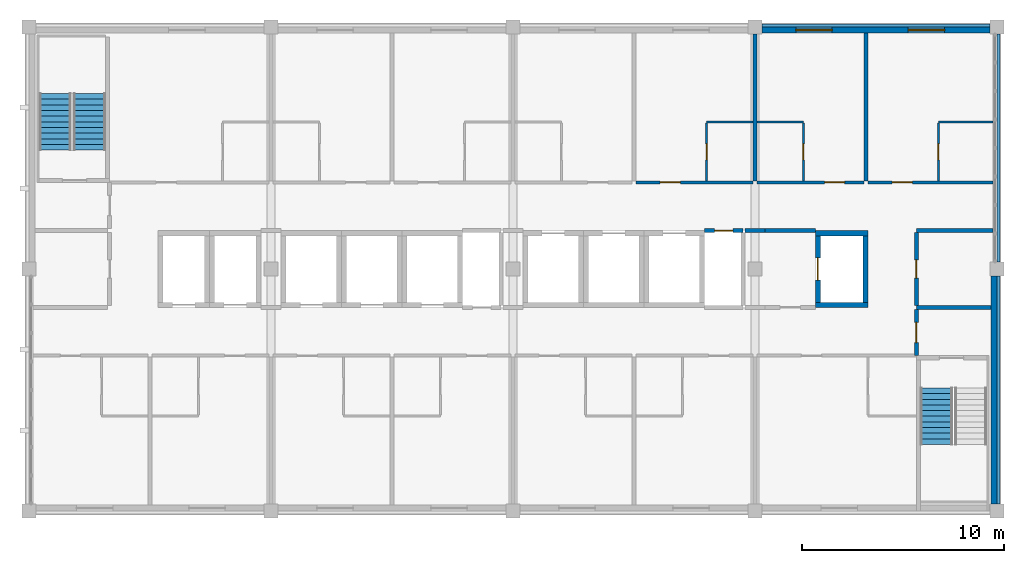
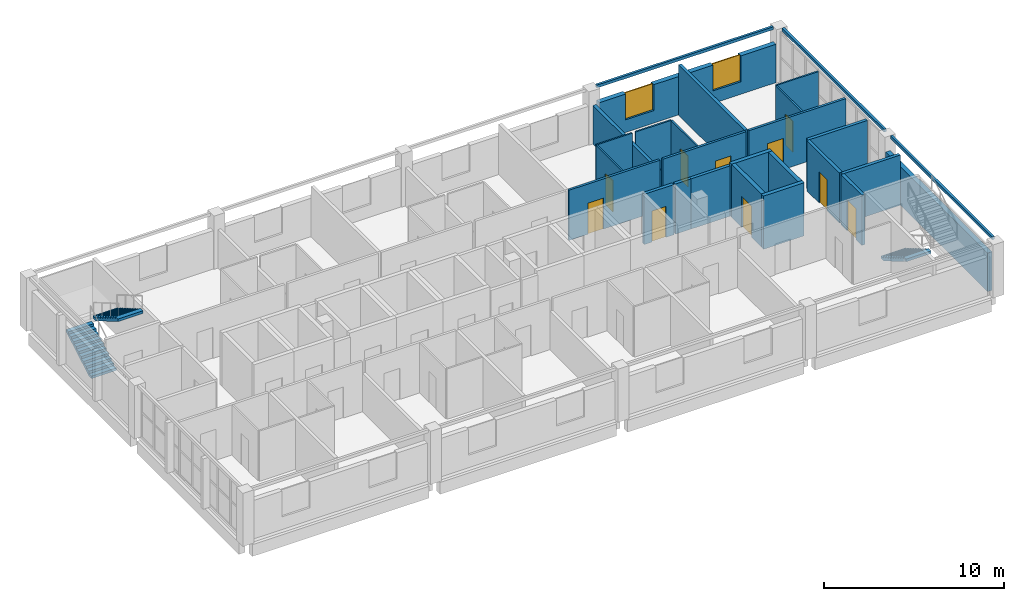
# One storey, part 9 of 11: 27 walls, 10 doors, 3 stair flights, 2 windows, 12 openings, 2 elements without a shape of their own.
"""IFC4 building model written with IfcOpenShell, lengths in metres."""

from ifc_helpers import new_model, si_unit, direction, frame, frame_2d, origin, place, context, subcontext, project, spatial, polyline, rectangle, outline, extrude, material, layer, layer_set, type_object, element, fill, aggregate, save


model = new_model("IFC4")

# Units and contexts
model_context = context("Model", 3, precision=1e-05, world=origin(), true_north=direction((0.0, 1.0)))
body_context = subcontext(model_context, "Body", "Model", "MODEL_VIEW")
ifc_project = project(units=[si_unit("LENGTHUNIT", "METRE"), si_unit("AREAUNIT", "SQUARE_METRE"), si_unit("VOLUMEUNIT", "CUBIC_METRE"), si_unit("PLANEANGLEUNIT", "RADIAN"), si_unit("MASSUNIT", "GRAM", prefix="KILO")], contexts=[model_context])

# Site, building, storey
site_placement = place(None, origin())
site = spatial("IfcSite", under=ifc_project, at=site_placement, CompositionType="ELEMENT")
building_placement = place(site_placement, origin())
building = spatial("IfcBuilding", under=site, at=building_placement, Name="Lilac Gate Convention Centre", CompositionType="ELEMENT")
storey_placement = place(building_placement, frame((0.0, 0.0, 60.60009765625)))
storey = spatial("IfcBuildingStorey", under=building, at=storey_placement, Name="L15", CompositionType="ELEMENT", Elevation=60.60009765625)

# Walls
ifc_material_1 = material(Name="Concrete C40", Category="concrete")
ifc_layer_1 = layer(ifc_material_1, 0.25)
ifc_layer_set_1 = layer_set([ifc_layer_1], Name="Concrete C40")
wall_type_1 = type_object("IfcWallType", Name="Core wall 250 C40", PredefinedType="SHEAR", material=ifc_layer_set_1)
for number, where, z_axis, x_axis, name in (
    (1, (81.0, 232.22509765625, 0.0), (0.0, 0.0, 1.0), (1.0, 0.0, 0.0), "CRW5 core wall TC L15 33"),
    (2, (81.0, 235.77490234375, 0.0), (0.0, 0.0, 1.0), (1.0, 0.0, 0.0), "CRW5 core wall TC L15 34"),
):
    element("IfcWall", number, at=place(storey_placement, frame(where, z_axis=z_axis, x_axis=x_axis)), inside=storey, type_object=wall_type_1, Name=name, PredefinedType="SHEAR", context=body_context, shape_type="SweptSolid", body=[
        extrude(rectangle(XDim=2.60009765625, YDim=0.25, at=frame_2d((1.300048828125, 0.0))), origin(), (0.0, 0.0, 1.0), 3.599853515625),
    ])

# Wall, opening, door
wall_1_placement = place(storey_placement, frame((81.125, 232.35009765625, 0.0), z_axis=(0.0, 0.0, 1.0), x_axis=(0.0, 1.0, 0.0)))
wall_1 = element("IfcWall", 3, at=wall_1_placement, inside=storey, type_object=wall_type_1, Name="CRW5 core wall TC L15 35", PredefinedType="SHEAR", context=body_context, shape_type="SweptSolid", body=[
    extrude(rectangle(XDim=3.2998046875, YDim=0.25, at=frame_2d((1.64990234375, 0.0))), origin(), (0.0, 0.0, 1.0), 3.599853515625),
])
opening_1_placement = place(wall_1_placement, frame((1.10009765625, 0.0, 0.0)))
opening_1 = element("IfcOpeningElement", 4, at=opening_1_placement, cuts=wall_1, Name="Opening T15-044", PredefinedType="OPENING", context=body_context, shape_type="SweptSolid", body=[
    extrude(rectangle(XDim=1.10009765625, YDim=2.10009765625, at=frame_2d((0.550048828125, 1.050048828125))), frame((0.0, 0.135009765625, 0.0), z_axis=(0.0, -1.0, 0.0), x_axis=(1.0, 0.0, 0.0)), (0.0, 0.0, 1.0), 0.27001953125),
])
ifc_material_2 = material(Name="Stainless steel 304", Category="steel")
door_type_1 = type_object("IfcDoorType", Name="Lift landing door 1100", OperationType="SLIDING_TO_LEFT", PredefinedType="DOOR", material=ifc_material_2)
door_1_placement = place(opening_1_placement, origin())
door_1 = element("IfcDoor", 5, at=door_1_placement, inside=storey, type_object=door_type_1, Name="Lift landing door TF1 L15", OperationType="SLIDING_TO_LEFT", OverallHeight=2.10009765625, OverallWidth=1.10009765625, PredefinedType="DOOR", context=body_context, shape_type="SweptSolid", body=[
    extrude(rectangle(XDim=1.10009765625, YDim=2.10009765625, at=frame_2d((0.550048828125, 1.050048828125))), frame((0.0, 0.02490234375, 0.0), z_axis=(0.0, -1.0, 0.0), x_axis=(1.0, 0.0, 0.0)), (0.0, 0.0, 1.0), 0.050048828125),
])
fill(opening_1, door_1)

# Wall
wall_2_placement = place(storey_placement, frame((83.47509765625, 232.35009765625, 0.0), z_axis=(0.0, 0.0, 1.0), x_axis=(0.0, 1.0, 0.0)))
element("IfcWall", 6, at=wall_2_placement, inside=storey, type_object=wall_type_1, Name="CRW5 core wall TC L15 36", PredefinedType="SHEAR", context=body_context, shape_type="SweptSolid", body=[
    extrude(rectangle(XDim=3.2998046875, YDim=0.25, at=frame_2d((1.64990234375, 0.0))), origin(), (0.0, 0.0, 1.0), 3.599853515625),
])

# Wall, opening, door
ifc_material_3 = material(Name="Gypsum board on steel stud", Category="steel")
ifc_layer_2 = layer(ifc_material_3, 0.14990234375)
ifc_layer_set_2 = layer_set([ifc_layer_2], Name="Gypsum board on steel stud")
wall_type_2 = type_object("IfcWallType", Name="Corridor wall 150", PredefinedType="PARTITIONING", material=ifc_layer_set_2)
wall_3_placement = place(storey_placement, frame((72.10009765625, 238.300048828125, 0.0), z_axis=(0.0, 0.0, 1.0), x_axis=(1.0, 0.0, 0.0)))
wall_3 = element("IfcWall", 7, at=wall_3_placement, inside=storey, type_object=wall_type_2, Name="Corridor wall 150 front 1512", PredefinedType="PARTITIONING", context=body_context, shape_type="SweptSolid", body=[
    extrude(rectangle(XDim=5.7998046875, YDim=0.14990234375, at=frame_2d((2.89990234375, 0.0))), origin(), (0.0, 0.0, 1.0), 3.39990234375),
])
opening_2_placement = place(wall_3_placement, frame((1.199951171875, 0.0, 0.0)))
opening_2 = element("IfcOpeningElement", 8, at=opening_2_placement, cuts=wall_3, Name="Opening T15-030", PredefinedType="OPENING", context=body_context, shape_type="SweptSolid", body=[
    extrude(rectangle(XDim=1.0, YDim=2.10009765625, at=frame_2d((0.5, 1.050048828125))), frame((0.0, 0.0849609375, 0.0), z_axis=(0.0, -1.0, 0.0), x_axis=(1.0, 0.0, 0.0)), (0.0, 0.0, 1.0), 0.169921875),
])
ifc_material_4 = material(Name="Timber", Category="wood")
door_type_2 = type_object("IfcDoorType", Name="Guest room entrance door 1000", OperationType="SINGLE_SWING_LEFT", PredefinedType="DOOR", material=ifc_material_4)
door_2_placement = place(opening_2_placement, origin())
door_2 = element("IfcDoor", 9, at=door_2_placement, inside=storey, type_object=door_type_2, Name="Guest room door 1512", OperationType="SINGLE_SWING_LEFT", OverallHeight=2.10009765625, OverallWidth=1.0, PredefinedType="DOOR", context=body_context, shape_type="SweptSolid", body=[
    extrude(rectangle(XDim=1.0, YDim=2.10009765625, at=frame_2d((0.5, 1.050048828125))), frame((0.0, 0.02490234375, 0.0), z_axis=(0.0, -1.0, 0.0), x_axis=(1.0, 0.0, 0.0)), (0.0, 0.0, 1.0), 0.050048828125),
])
fill(opening_2, door_2)

wall_4_placement = place(storey_placement, frame((78.10009765625, 238.300048828125, 0.0), z_axis=(0.0, 0.0, 1.0), x_axis=(1.0, 0.0, 0.0)))
wall_4 = element("IfcWall", 10, at=wall_4_placement, inside=storey, type_object=wall_type_2, Name="Corridor wall 150 front 1513", PredefinedType="PARTITIONING", context=body_context, shape_type="SweptSolid", body=[
    extrude(rectangle(XDim=5.2998046875, YDim=0.14990234375, at=frame_2d((2.64990234375, 0.0))), origin(), (0.0, 0.0, 1.0), 3.39990234375),
])
opening_3_placement = place(wall_4_placement, frame((3.35009765625, 0.0, 0.0)))
opening_3 = element("IfcOpeningElement", 11, at=opening_3_placement, cuts=wall_4, Name="Opening T15-032", PredefinedType="OPENING", context=body_context, shape_type="SweptSolid", body=[
    extrude(rectangle(XDim=1.0, YDim=2.10009765625, at=frame_2d((0.5, 1.050048828125))), frame((0.0, 0.0849609375, 0.0), z_axis=(0.0, -1.0, 0.0), x_axis=(1.0, 0.0, 0.0)), (0.0, 0.0, 1.0), 0.169921875),
])
door_3_placement = place(opening_3_placement, origin())
door_3 = element("IfcDoor", 12, at=door_3_placement, inside=storey, type_object=door_type_2, Name="Guest room door 1513", OperationType="SINGLE_SWING_LEFT", OverallHeight=2.10009765625, OverallWidth=1.0, PredefinedType="DOOR", context=body_context, shape_type="SweptSolid", body=[
    extrude(rectangle(XDim=1.0, YDim=2.10009765625, at=frame_2d((0.5, 1.050048828125))), frame((0.0, 0.02490234375, 0.0), z_axis=(0.0, -1.0, 0.0), x_axis=(1.0, 0.0, 0.0)), (0.0, 0.0, 1.0), 0.050048828125),
])
fill(opening_3, door_3)

wall_5_placement = place(storey_placement, frame((83.60009765625, 238.300048828125, 0.0), z_axis=(0.0, 0.0, 1.0), x_axis=(1.0, 0.0, 0.0)))
wall_5 = element("IfcWall", 13, at=wall_5_placement, inside=storey, type_object=wall_type_2, Name="Corridor wall 150 front 1514", PredefinedType="PARTITIONING", context=body_context, shape_type="SweptSolid", body=[
    extrude(rectangle(XDim=6.19970703125, YDim=0.14990234375, at=frame_2d((3.099853515625, 0.0))), origin(), (0.0, 0.0, 1.0), 3.39990234375),
])
opening_4_placement = place(wall_5_placement, frame((1.199951171875, 0.0, 0.0)))
opening_4 = element("IfcOpeningElement", 14, at=opening_4_placement, cuts=wall_5, Name="Opening T15-034", PredefinedType="OPENING", context=body_context, shape_type="SweptSolid", body=[
    extrude(rectangle(XDim=1.0, YDim=2.10009765625, at=frame_2d((0.5, 1.050048828125))), frame((0.0, 0.0849609375, 0.0), z_axis=(0.0, -1.0, 0.0), x_axis=(1.0, 0.0, 0.0)), (0.0, 0.0, 1.0), 0.169921875),
])
door_4_placement = place(opening_4_placement, origin())
door_4 = element("IfcDoor", 15, at=door_4_placement, inside=storey, type_object=door_type_2, Name="Guest room door 1514", OperationType="SINGLE_SWING_LEFT", OverallHeight=2.10009765625, OverallWidth=1.0, PredefinedType="DOOR", context=body_context, shape_type="SweptSolid", body=[
    extrude(rectangle(XDim=1.0, YDim=2.10009765625, at=frame_2d((0.5, 1.050048828125))), frame((0.0, 0.02490234375, 0.0), z_axis=(0.0, -1.0, 0.0), x_axis=(1.0, 0.0, 0.0)), (0.0, 0.0, 1.0), 0.050048828125),
])
fill(opening_4, door_4)

# Wall
ifc_layer_3 = layer(ifc_material_3, 0.10009765625)
ifc_layer_set_3 = layer_set([ifc_layer_3], Name="Gypsum board on steel stud")
wall_type_3 = type_object("IfcWallType", Name="En-suite wall 100", PredefinedType="PARTITIONING", material=ifc_layer_set_3)
wall_6_placement = place(storey_placement, frame((75.60009765625, 241.300048828125, 0.0), z_axis=(0.0, 0.0, 1.0), x_axis=(1.0, 0.0, 0.0)))
element("IfcWall", 16, at=wall_6_placement, inside=storey, type_object=wall_type_3, Name="En-suite wall 100 bath 1512", PredefinedType="PARTITIONING", context=body_context, shape_type="SweptSolid", body=[
    extrude(rectangle(XDim=2.2998046875, YDim=0.10009765625, at=frame_2d((1.14990234375, 0.0))), origin(), (0.0, 0.0, 1.0), 3.39990234375),
])

# Wall, opening, door
wall_7_placement = place(storey_placement, frame((75.60009765625, 238.375, 0.0), z_axis=(0.0, 0.0, 1.0), x_axis=(0.0, 1.0, 0.0)))
wall_7 = element("IfcWall", 17, at=wall_7_placement, inside=storey, type_object=wall_type_3, Name="En-suite wall 100 bath side 1512", PredefinedType="PARTITIONING", context=body_context, shape_type="SweptSolid", body=[
    extrude(rectangle(XDim=2.875, YDim=0.10009765625, at=frame_2d((1.4375, 0.0))), origin(), (0.0, 0.0, 1.0), 3.39990234375),
])
opening_5_placement = place(wall_7_placement, frame((1.03759765625, 0.0, 0.0)))
opening_5 = element("IfcOpeningElement", 18, at=opening_5_placement, cuts=wall_7, Name="Opening T15-031", PredefinedType="OPENING", context=body_context, shape_type="SweptSolid", body=[
    extrude(rectangle(XDim=0.800048828125, YDim=2.10009765625, at=frame_2d((0.39990234375, 1.050048828125))), frame((0.0, 0.06005859375, 0.0), z_axis=(0.0, -1.0, 0.0), x_axis=(1.0, 0.0, 0.0)), (0.0, 0.0, 1.0), 0.1201171875),
])
door_type_3 = type_object("IfcDoorType", Name="En-suite door 800", OperationType="SINGLE_SWING_LEFT", PredefinedType="DOOR", material=ifc_material_4)
door_5_placement = place(opening_5_placement, origin())
door_5 = element("IfcDoor", 19, at=door_5_placement, inside=storey, type_object=door_type_3, Name="En-suite door 1512", OperationType="SINGLE_SWING_LEFT", OverallHeight=2.10009765625, OverallWidth=0.800048828125, PredefinedType="DOOR", context=body_context, shape_type="SweptSolid", body=[
    extrude(rectangle(XDim=0.800048828125, YDim=2.10009765625, at=frame_2d((0.39990234375, 1.050048828125))), frame((0.0, 0.02490234375, 0.0), z_axis=(0.0, -1.0, 0.0), x_axis=(1.0, 0.0, 0.0)), (0.0, 0.0, 1.0), 0.050048828125),
])
fill(opening_5, door_5)

# Wall
wall_8_placement = place(storey_placement, frame((78.10009765625, 241.300048828125, 0.0), z_axis=(0.0, 0.0, 1.0), x_axis=(1.0, 0.0, 0.0)))
element("IfcWall", 20, at=wall_8_placement, inside=storey, type_object=wall_type_3, Name="En-suite wall 100 bath 1513", PredefinedType="PARTITIONING", context=body_context, shape_type="SweptSolid", body=[
    extrude(rectangle(XDim=2.2998046875, YDim=0.10009765625, at=frame_2d((1.14990234375, 0.0))), origin(), (0.0, 0.0, 1.0), 3.39990234375),
])

# Wall, opening, door
wall_9_placement = place(storey_placement, frame((80.39990234375, 241.25, 0.0), z_axis=(0.0, 0.0, 1.0), x_axis=(0.0, -1.0, 0.0)))
wall_9 = element("IfcWall", 21, at=wall_9_placement, inside=storey, type_object=wall_type_3, Name="En-suite wall 100 bath side 1513", PredefinedType="PARTITIONING", context=body_context, shape_type="SweptSolid", body=[
    extrude(rectangle(XDim=2.875, YDim=0.10009765625, at=frame_2d((1.4375, 0.0))), origin(), (0.0, 0.0, 1.0), 3.39990234375),
])
opening_6_placement = place(wall_9_placement, frame((1.03759765625, 0.0, 0.0)))
opening_6 = element("IfcOpeningElement", 22, at=opening_6_placement, cuts=wall_9, Name="Opening T15-033", PredefinedType="OPENING", context=body_context, shape_type="SweptSolid", body=[
    extrude(rectangle(XDim=0.800048828125, YDim=2.10009765625, at=frame_2d((0.39990234375, 1.050048828125))), frame((0.0, 0.06005859375, 0.0), z_axis=(0.0, -1.0, 0.0), x_axis=(1.0, 0.0, 0.0)), (0.0, 0.0, 1.0), 0.1201171875),
])
door_6_placement = place(opening_6_placement, origin())
door_6 = element("IfcDoor", 23, at=door_6_placement, inside=storey, type_object=door_type_3, Name="En-suite door 1513", OperationType="SINGLE_SWING_RIGHT", OverallHeight=2.10009765625, OverallWidth=0.800048828125, PredefinedType="DOOR", context=body_context, shape_type="SweptSolid", body=[
    extrude(rectangle(XDim=0.800048828125, YDim=2.10009765625, at=frame_2d((0.39990234375, 1.050048828125))), frame((0.0, 0.02490234375, 0.0), z_axis=(0.0, -1.0, 0.0), x_axis=(1.0, 0.0, 0.0)), (0.0, 0.0, 1.0), 0.050048828125),
])
fill(opening_6, door_6)

# Wall
wall_10_placement = place(storey_placement, frame((87.10009765625, 241.300048828125, 0.0), z_axis=(0.0, 0.0, 1.0), x_axis=(1.0, 0.0, 0.0)))
element("IfcWall", 24, at=wall_10_placement, inside=storey, type_object=wall_type_3, Name="En-suite wall 100 bath 1514", PredefinedType="PARTITIONING", context=body_context, shape_type="SweptSolid", body=[
    extrude(rectangle(XDim=2.69970703125, YDim=0.10009765625, at=frame_2d((1.349853515625, 0.0))), origin(), (0.0, 0.0, 1.0), 3.39990234375),
])

# Wall, opening, door
wall_11_placement = place(storey_placement, frame((87.10009765625, 238.375, 0.0), z_axis=(0.0, 0.0, 1.0), x_axis=(0.0, 1.0, 0.0)))
wall_11 = element("IfcWall", 25, at=wall_11_placement, inside=storey, type_object=wall_type_3, Name="En-suite wall 100 bath side 1514", PredefinedType="PARTITIONING", context=body_context, shape_type="SweptSolid", body=[
    extrude(rectangle(XDim=2.875, YDim=0.10009765625, at=frame_2d((1.4375, 0.0))), origin(), (0.0, 0.0, 1.0), 3.39990234375),
])
opening_7_placement = place(wall_11_placement, frame((1.03759765625, 0.0, 0.0)))
opening_7 = element("IfcOpeningElement", 26, at=opening_7_placement, cuts=wall_11, Name="Opening T15-035", PredefinedType="OPENING", context=body_context, shape_type="SweptSolid", body=[
    extrude(rectangle(XDim=0.800048828125, YDim=2.10009765625, at=frame_2d((0.39990234375, 1.050048828125))), frame((0.0, 0.06005859375, 0.0), z_axis=(0.0, -1.0, 0.0), x_axis=(1.0, 0.0, 0.0)), (0.0, 0.0, 1.0), 0.1201171875),
])
door_7_placement = place(opening_7_placement, origin())
door_7 = element("IfcDoor", 27, at=door_7_placement, inside=storey, type_object=door_type_3, Name="En-suite door 1514", OperationType="SINGLE_SWING_LEFT", OverallHeight=2.10009765625, OverallWidth=0.800048828125, PredefinedType="DOOR", context=body_context, shape_type="SweptSolid", body=[
    extrude(rectangle(XDim=0.800048828125, YDim=2.10009765625, at=frame_2d((0.39990234375, 1.050048828125))), frame((0.0, 0.02490234375, 0.0), z_axis=(0.0, -1.0, 0.0), x_axis=(1.0, 0.0, 0.0)), (0.0, 0.0, 1.0), 0.050048828125),
])
fill(opening_7, door_7)

# Walls
ifc_layer_4 = layer(ifc_material_3, 0.199951171875)
ifc_layer_set_4 = layer_set([ifc_layer_4], Name="Gypsum board on steel stud")
wall_type_4 = type_object("IfcWallType", Name="Guest room party wall 200", PredefinedType="PARTITIONING", material=ifc_layer_set_4)
wall_12_placement = place(storey_placement, frame((78.0, 245.64990234375, 0.0), z_axis=(0.0, 0.0, 1.0), x_axis=(0.0, -1.0, 0.0)))
element("IfcWall", 28, at=wall_12_placement, inside=storey, type_object=wall_type_4, Name="Guest room party wall 200 party 78.0", PredefinedType="PARTITIONING", context=body_context, shape_type="SweptSolid", body=[
    extrude(rectangle(XDim=7.27490234375, YDim=0.199951171875, at=frame_2d((3.637451171875, 0.0))), origin(), (0.0, 0.0, 1.0), 2.599853515625),
])
wall_13_placement = place(storey_placement, frame((83.5, 245.7001953125, 0.0), z_axis=(0.0, 0.0, 1.0), x_axis=(0.0, -1.0, 0.0)))
element("IfcWall", 29, at=wall_13_placement, inside=storey, type_object=wall_type_4, Name="Guest room party wall 200 party 83.5", PredefinedType="PARTITIONING", context=body_context, shape_type="SweptSolid", body=[
    extrude(rectangle(XDim=7.3251953125, YDim=0.199951171875, at=frame_2d((3.66259765625, 0.0))), origin(), (0.0, 0.0, 1.0), 3.39990234375),
])
ifc_layer_5 = layer(ifc_material_3, 0.199951171875)
ifc_layer_set_5 = layer_set([ifc_layer_5], Name="Gypsum board on steel stud")
wall_type_5 = type_object("IfcWallType", Name="Lobby wall 200", PredefinedType="PARTITIONING", material=ifc_layer_set_5)
wall_14_placement = place(storey_placement, frame((86.0, 232.10009765625, 0.0), z_axis=(0.0, 0.0, 1.0), x_axis=(1.0, 0.0, 0.0)))
element("IfcWall", 30, at=wall_14_placement, inside=storey, type_object=wall_type_5, Name="Lobby wall 200 STL-N", PredefinedType="PARTITIONING", context=body_context, shape_type="SweptSolid", body=[
    extrude(rectangle(XDim=3.7001953125, YDim=0.199951171875, at=frame_2d((1.85009765625, 0.0))), origin(), (0.0, 0.0, 1.0), 3.39990234375),
])
wall_15_placement = place(storey_placement, frame((78.5, 235.89990234375, 0.0), z_axis=(0.0, 0.0, 1.0), x_axis=(1.0, 0.0, 0.0)))
element("IfcWall", 31, at=wall_15_placement, inside=storey, type_object=wall_type_5, Name="Lobby wall 200 FFL-N", PredefinedType="PARTITIONING", context=body_context, shape_type="SweptSolid", body=[
    extrude(rectangle(XDim=2.5, YDim=0.199951171875, at=frame_2d((1.25, 0.0))), origin(), (0.0, 0.0, 1.0), 3.39990234375),
])

# Wall, opening, door
wall_16_placement = place(storey_placement, frame((86.0, 232.0, 0.0), z_axis=(0.0, 0.0, 1.0), x_axis=(0.0, -1.0, 0.0)))
wall_16 = element("IfcWall", 32, at=wall_16_placement, inside=storey, type_object=wall_type_5, Name="Lobby wall 200 STL-SE-W", PredefinedType="PARTITIONING", context=body_context, shape_type="SweptSolid", body=[
    extrude(rectangle(XDim=2.300048828125, YDim=0.199951171875, at=frame_2d((1.14990234375, 0.0))), origin(), (0.0, 0.0, 1.0), 3.39990234375),
])
opening_8_placement = place(wall_16_placement, frame((0.64990234375, 0.0, 0.0)))
opening_8 = element("IfcOpeningElement", 33, at=opening_8_placement, cuts=wall_16, Name="Opening T15-007", PredefinedType="OPENING", context=body_context, shape_type="SweptSolid", body=[
    extrude(rectangle(XDim=1.0, YDim=2.10009765625, at=frame_2d((0.5, 1.050048828125))), frame((0.0, 0.10986328125, 0.0), z_axis=(0.0, -1.0, 0.0), x_axis=(1.0, 0.0, 0.0)), (0.0, 0.0, 1.0), 0.219970703125),
])
ifc_material_5 = material(Name="Steel Q235B", Category="steel")
door_type_4 = type_object("IfcDoorType", Name="Lobby door 1000", OperationType="SINGLE_SWING_LEFT", PredefinedType="DOOR", material=ifc_material_5)
door_8_placement = place(opening_8_placement, origin())
door_8 = element("IfcDoor", 34, at=door_8_placement, inside=storey, type_object=door_type_4, Name="Stair lobby door SE", OperationType="SINGLE_SWING_LEFT", OverallHeight=2.10009765625, OverallWidth=1.0, PredefinedType="DOOR", context=body_context, shape_type="SweptSolid", body=[
    extrude(rectangle(XDim=1.0, YDim=2.10009765625, at=frame_2d((0.5, 1.050048828125))), frame((0.0, 0.02490234375, 0.0), z_axis=(0.0, -1.0, 0.0), x_axis=(1.0, 0.0, 0.0)), (0.0, 0.0, 1.0), 0.050048828125),
])
fill(opening_8, door_8)

# Walls
ifc_material_6 = material(Name="Concrete C40 precast", Category="concrete")
ifc_layer_6 = layer(ifc_material_6, 0.1298828125)
ifc_material_7 = material(Name="Terracotta glazed cladding", Category="masonry")
ifc_layer_7 = layer(ifc_material_7, 0.02001953125)
ifc_layer_set_6 = layer_set([ifc_layer_6, ifc_layer_7], Name="Concrete C40 precast, Terracotta glazed cladding")
wall_type_6 = type_object("IfcWallType", Name="Precast band terracotta 150", PredefinedType="STANDARD", material=ifc_layer_set_6)
for number, where, z_axis, x_axis, name in (
    (35, (90.074951171875, 222.35009765625, 3.39990234375), (0.0, 0.0, 1.0), (0.0, 1.0, 0.0), "Precast band E L15 1"),
    (36, (90.074951171875, 234.35009765625, 3.39990234375), (0.0, 0.0, 1.0), (0.0, 1.0, 0.0), "Precast band E L15 2"),
    (37, (89.64990234375, 246.074951171875, 3.39990234375), (0.0, 0.0, 1.0), (-1.0, 0.0, 0.0), "Precast band N L15 1"),
):
    element("IfcWall", number, at=place(storey_placement, frame(where, z_axis=z_axis, x_axis=x_axis)), inside=storey, type_object=wall_type_6, Name=name, PredefinedType="STANDARD", context=body_context, shape_type="SweptSolid", body=[
        extrude(rectangle(XDim=11.2998046875, YDim=0.14990234375, at=frame_2d((5.64990234375, 0.0))), origin(), (0.0, 0.0, 1.0), 0.199951171875),
    ])
ifc_material_8 = material(Name="Ochre mineral render")
ifc_layer_8 = layer(ifc_material_8, 0.02001953125)
ifc_layer_9 = layer(ifc_material_6, 0.06005859375)
ifc_material_9 = material(Name="Ventilated air cavity")
ifc_layer_10 = layer(ifc_material_9, 0.030029296875)
ifc_material_10 = material(Name="Mineral wool insulation")
ifc_layer_11 = layer(ifc_material_10, 0.1201171875)
ifc_material_11 = material(Name="Steel stud Q345 and gypsum lining", Category="steel")
ifc_layer_12 = layer(ifc_material_11, 0.070068359375)
ifc_layer_set_7 = layer_set([ifc_layer_8, ifc_layer_9, ifc_layer_10, ifc_layer_11, ifc_layer_12], Name="Ochre mineral render, Concrete C40 precast, Ventilated air cavity, Mineral wool insulation, Steel stud Q345 and gypsum lining")
wall_type_7 = type_object("IfcWallType", Name="Precast panel wall ochre 300", PredefinedType="STANDARD", material=ifc_layer_set_7)
wall_17_placement = place(storey_placement, frame((89.85009765625, 222.35009765625, 0.0), z_axis=(0.0, 0.0, 1.0), x_axis=(0.0, 1.0, 0.0)))
element("IfcWall", 38, at=wall_17_placement, inside=storey, type_object=wall_type_7, Name="External wall E L15 1", PredefinedType="STANDARD", context=body_context, shape_type="SweptSolid", body=[
    extrude(rectangle(XDim=11.2998046875, YDim=0.300048828125, at=frame_2d((5.64990234375, 0.0))), origin(), (0.0, 0.0, 1.0), 2.599853515625),
])

# Wall, openings, windows
wall_18_placement = place(storey_placement, frame((89.64990234375, 245.85009765625, 0.0), z_axis=(0.0, 0.0, 1.0), x_axis=(-1.0, 0.0, 0.0)))
wall_18 = element("IfcWall", 39, at=wall_18_placement, inside=storey, type_object=wall_type_7, Name="External wall N L15 1", PredefinedType="STANDARD", context=body_context, shape_type="SweptSolid", body=[
    extrude(rectangle(XDim=11.2998046875, YDim=0.300048828125, at=frame_2d((5.64990234375, 0.0))), origin(), (0.0, 0.0, 1.0), 2.599853515625),
])
opening_9_placement = place(wall_18_placement, frame((7.824951171875, 0.0, 0.85009765625)))
opening_9 = element("IfcOpeningElement", 40, at=opening_9_placement, cuts=wall_18, Name="Opening W1", PredefinedType="OPENING", context=body_context, shape_type="SweptSolid", body=[
    extrude(rectangle(XDim=1.800048828125, YDim=1.75, at=frame_2d((0.89990234375, 0.875))), frame((0.0, 0.159912109375, 0.0), z_axis=(0.0, -1.0, 0.0), x_axis=(1.0, 0.0, 0.0)), (0.0, 0.0, 1.0), 0.320068359375),
])
opening_10_placement = place(wall_18_placement, frame((2.25, 0.0, 0.85009765625)))
opening_10 = element("IfcOpeningElement", 41, at=opening_10_placement, cuts=wall_18, Name="Opening W1", PredefinedType="OPENING", context=body_context, shape_type="SweptSolid", body=[
    extrude(rectangle(XDim=1.800048828125, YDim=1.75, at=frame_2d((0.89990234375, 0.875))), frame((0.0, 0.159912109375, 0.0), z_axis=(0.0, -1.0, 0.0), x_axis=(1.0, 0.0, 0.0)), (0.0, 0.0, 1.0), 0.320068359375),
])
ifc_material_12 = material(Name="Aluminium framed double glazing", Category="aluminium")
window_type = type_object("IfcWindowType", Name="Guest room window 1800 x 1750", PartitioningType="DOUBLE_PANEL_VERTICAL", PredefinedType="WINDOW", material=ifc_material_12)
window_1_placement = place(opening_9_placement, origin())
window_1 = element("IfcWindow", 42, at=window_1_placement, inside=storey, type_object=window_type, Name="Window Guest N L15", OverallHeight=1.75, OverallWidth=1.800048828125, PartitioningType="SINGLE_PANEL", PredefinedType="WINDOW", context=body_context, shape_type="SweptSolid", body=[
    extrude(rectangle(XDim=1.800048828125, YDim=1.75, at=frame_2d((0.89990234375, 0.875))), frame((0.0, 0.030029296875, 0.0), z_axis=(0.0, -1.0, 0.0), x_axis=(1.0, 0.0, 0.0)), (0.0, 0.0, 1.0), 0.06005859375),
])
fill(opening_9, window_1)
window_2_placement = place(opening_10_placement, origin())
window_2 = element("IfcWindow", 43, at=window_2_placement, inside=storey, type_object=window_type, Name="Window Guest N L15", OverallHeight=1.75, OverallWidth=1.800048828125, PartitioningType="SINGLE_PANEL", PredefinedType="WINDOW", context=body_context, shape_type="SweptSolid", body=[
    extrude(rectangle(XDim=1.800048828125, YDim=1.75, at=frame_2d((0.89990234375, 0.875))), frame((0.0, 0.030029296875, 0.0), z_axis=(0.0, -1.0, 0.0), x_axis=(1.0, 0.0, 0.0)), (0.0, 0.0, 1.0), 0.06005859375),
])
fill(opening_10, window_2)

# Wall, opening, door
ifc_layer_13 = layer(ifc_material_3, 0.199951171875)
ifc_layer_set_8 = layer_set([ifc_layer_13], Name="Gypsum board on steel stud")
wall_type_8 = type_object("IfcWallType", Name="Riser and store wall 200", PredefinedType="PARTITIONING", material=ifc_layer_set_8)
wall_19_placement = place(storey_placement, frame((77.39990234375, 235.89990234375, 0.0), z_axis=(0.0, 0.0, 1.0), x_axis=(-1.0, 0.0, 0.0)))
wall_19 = element("IfcWall", 44, at=wall_19_placement, inside=storey, type_object=wall_type_8, Name="Riser and store wall 200 RS2-N", PredefinedType="PARTITIONING", context=body_context, shape_type="SweptSolid", body=[
    extrude(rectangle(XDim=1.89990234375, YDim=0.199951171875, at=frame_2d((0.949951171875, 0.0))), origin(), (0.0, 0.0, 1.0), 3.39990234375),
])
opening_11_placement = place(wall_19_placement, frame((0.5, 0.0, 0.0)))
opening_11 = element("IfcOpeningElement", 45, at=opening_11_placement, cuts=wall_19, Name="Opening T15-003", PredefinedType="OPENING", context=body_context, shape_type="SweptSolid", body=[
    extrude(rectangle(XDim=0.89990234375, YDim=2.10009765625, at=frame_2d((0.449951171875, 1.050048828125))), frame((0.0, 0.10986328125, 0.0), z_axis=(0.0, -1.0, 0.0), x_axis=(1.0, 0.0, 0.0)), (0.0, 0.0, 1.0), 0.219970703125),
])
door_type_5 = type_object("IfcDoorType", Name="Riser and store door 900", OperationType="SINGLE_SWING_LEFT", PredefinedType="DOOR", material=ifc_material_5)
door_9_placement = place(opening_11_placement, origin())
door_9 = element("IfcDoor", 46, at=door_9_placement, inside=storey, type_object=door_type_5, Name="Riser room door", OperationType="SINGLE_SWING_LEFT", OverallHeight=2.10009765625, OverallWidth=0.89990234375, PredefinedType="DOOR", context=body_context, shape_type="SweptSolid", body=[
    extrude(rectangle(XDim=0.89990234375, YDim=2.10009765625, at=frame_2d((0.449951171875, 1.050048828125))), frame((0.0, 0.02490234375, 0.0), z_axis=(0.0, -1.0, 0.0), x_axis=(1.0, 0.0, 0.0)), (0.0, 0.0, 1.0), 0.050048828125),
])
fill(opening_11, door_9)

# Walls
wall_20_placement = place(storey_placement, frame((77.5, 235.89990234375, 0.0), z_axis=(0.0, 0.0, 1.0), x_axis=(1.0, 0.0, 0.0)))
element("IfcWall", 47, at=wall_20_placement, inside=storey, type_object=wall_type_8, Name="Riser and store wall 200 NICHE3-N", PredefinedType="PARTITIONING", context=body_context, shape_type="SweptSolid", body=[
    extrude(rectangle(XDim=1.0, YDim=0.199951171875, at=frame_2d((0.5, 0.0))), origin(), (0.0, 0.0, 1.0), 3.39990234375),
])
wall_21_placement = place(storey_placement, frame((86.0, 235.89990234375, 0.0), z_axis=(0.0, 0.0, 1.0), x_axis=(1.0, 0.0, 0.0)))
element("IfcWall", 48, at=wall_21_placement, inside=storey, type_object=wall_type_8, Name="Riser and store wall 200 STE-N", PredefinedType="PARTITIONING", context=body_context, shape_type="SweptSolid", body=[
    extrude(rectangle(XDim=3.7998046875, YDim=0.199951171875, at=frame_2d((1.89990234375, 0.0))), origin(), (0.0, 0.0, 1.0), 3.39990234375),
])

# Wall, opening, door
wall_22_placement = place(storey_placement, frame((86.0, 235.800048828125, 0.0), z_axis=(0.0, 0.0, 1.0), x_axis=(0.0, -1.0, 0.0)))
wall_22 = element("IfcWall", 49, at=wall_22_placement, inside=storey, type_object=wall_type_8, Name="Riser and store wall 200 STE-W", PredefinedType="PARTITIONING", context=body_context, shape_type="SweptSolid", body=[
    extrude(rectangle(XDim=3.60009765625, YDim=0.199951171875, at=frame_2d((1.800048828125, 0.0))), origin(), (0.0, 0.0, 1.0), 3.39990234375),
])
opening_12_placement = place(wall_22_placement, frame((1.35009765625, 0.0, 0.0)))
opening_12 = element("IfcOpeningElement", 50, at=opening_12_placement, cuts=wall_22, Name="Opening T15-005", PredefinedType="OPENING", context=body_context, shape_type="SweptSolid", body=[
    extrude(rectangle(XDim=0.89990234375, YDim=2.10009765625, at=frame_2d((0.449951171875, 1.050048828125))), frame((0.0, 0.10986328125, 0.0), z_axis=(0.0, -1.0, 0.0), x_axis=(1.0, 0.0, 0.0)), (0.0, 0.0, 1.0), 0.219970703125),
])
door_10_placement = place(opening_12_placement, origin())
door_10 = element("IfcDoor", 51, at=door_10_placement, inside=storey, type_object=door_type_5, Name="Linen store door", OperationType="SINGLE_SWING_LEFT", OverallHeight=2.10009765625, OverallWidth=0.89990234375, PredefinedType="DOOR", context=body_context, shape_type="SweptSolid", body=[
    extrude(rectangle(XDim=0.89990234375, YDim=2.10009765625, at=frame_2d((0.449951171875, 1.050048828125))), frame((0.0, 0.02490234375, 0.0), z_axis=(0.0, -1.0, 0.0), x_axis=(1.0, 0.0, 0.0)), (0.0, 0.0, 1.0), 0.050048828125),
])
fill(opening_12, door_10)

# Stair, stair flights
stair_type = type_object("IfcStairType", Name="Exit stair", PredefinedType="DOUBLE_RETURN_STAIR", material=ifc_material_1)
stair_1_placement = place(storey_placement, origin())
stair_1 = element("IfcStair", 52, at=stair_1_placement, inside=storey, type_object=stair_type, Name="Exit stair NW L15", PredefinedType="DOUBLE_RETURN_STAIR")
stair_flight_type = type_object("IfcStairFlightType", Name="Exit stair flight", PredefinedType="STRAIGHT", material=ifc_material_1)
stair_flight_1_placement = place(storey_placement, frame((43.300048828125, 239.89990234375, 0.0), z_axis=(0.0, 0.0, 1.0), x_axis=(0.0, 1.0, 0.0)))
stair_flight_1 = element("IfcStairFlight", 53, at=stair_flight_1_placement, type_object=stair_flight_type, Name="ST-NW flight 1", NumberOfRisers=11, NumberOfTreads=10, PredefinedType="STRAIGHT", RiserHeight=0.163636364, TreadLength=0.28, context=body_context, shape_type="SweptSolid", body=[
    extrude(outline(polyline([(0.0, 0.0), (0.0, 0.16357421875), (0.280029296875, 0.16357421875), (0.280029296875, 0.327392578125), (0.56005859375, 0.327392578125), (0.56005859375, 0.490966796875), (0.840087890625, 0.490966796875), (0.840087890625, 0.654541015625), (1.1201171875, 0.654541015625), (1.1201171875, 0.818115234375), (1.39990234375, 0.818115234375), (1.39990234375, 0.98193359375), (1.679931640625, 0.98193359375), (1.679931640625, 1.1455078125), (1.9599609375, 1.1455078125), (1.9599609375, 1.30908203125), (2.239990234375, 1.30908203125), (2.239990234375, 1.47265625), (2.52001953125, 1.47265625), (2.52001953125, 1.636474609375), (2.800048828125, 1.636474609375), (2.800048828125, 1.800048828125), (2.800048828125, 1.462646484375), (0.297119140625, 0.0), (0.0, 0.0)])), frame((0.0, 0.800048828125, 0.0), z_axis=(0.0, -1.0, 0.0), x_axis=(1.0, 0.0, 0.0)), (0.0, 0.0, 1.0), 1.60009765625),
])
stair_flight_2_placement = place(storey_placement, frame((45.0, 242.699951171875, 1.7998046875), z_axis=(0.0, 0.0, 1.0), x_axis=(0.0, -1.0, 0.0)))
stair_flight_2 = element("IfcStairFlight", 54, at=stair_flight_2_placement, type_object=stair_flight_type, Name="ST-NW flight 2", NumberOfRisers=11, NumberOfTreads=10, PredefinedType="STRAIGHT", RiserHeight=0.163636364, TreadLength=0.28, context=body_context, shape_type="SweptSolid", body=[
    extrude(outline(polyline([(0.0, 0.0), (0.0, 0.16357421875), (0.280029296875, 0.16357421875), (0.280029296875, 0.327392578125), (0.56005859375, 0.327392578125), (0.56005859375, 0.490966796875), (0.840087890625, 0.490966796875), (0.840087890625, 0.654541015625), (1.1201171875, 0.654541015625), (1.1201171875, 0.818115234375), (1.39990234375, 0.818115234375), (1.39990234375, 0.98193359375), (1.679931640625, 0.98193359375), (1.679931640625, 1.1455078125), (1.9599609375, 1.1455078125), (1.9599609375, 1.30908203125), (2.239990234375, 1.30908203125), (2.239990234375, 1.47265625), (2.52001953125, 1.47265625), (2.52001953125, 1.636474609375), (2.800048828125, 1.636474609375), (2.800048828125, 1.800048828125), (2.800048828125, 1.462646484375), (0.297119140625, 0.0), (0.0, 0.0)])), frame((0.0, 0.800048828125, 0.0), z_axis=(0.0, -1.0, 0.0), x_axis=(1.0, 0.0, 0.0)), (0.0, 0.0, 1.0), 1.60009765625),
])
aggregate(stair_1, [stair_flight_1, stair_flight_2])

# Stair, stair flight
stair_2_placement = place(storey_placement, origin())
stair_2 = element("IfcStair", 55, at=stair_2_placement, inside=storey, type_object=stair_type, Name="Exit stair SE L15", PredefinedType="DOUBLE_RETURN_STAIR")
stair_flight_3_placement = place(storey_placement, frame((87.0, 228.10009765625, 0.0), z_axis=(0.0, 0.0, 1.0), x_axis=(0.0, -1.0, 0.0)))
stair_flight_3 = element("IfcStairFlight", 56, at=stair_flight_3_placement, type_object=stair_flight_type, Name="ST-SE flight 1", NumberOfRisers=11, NumberOfTreads=10, PredefinedType="STRAIGHT", RiserHeight=0.163636364, TreadLength=0.28, context=body_context, shape_type="SweptSolid", body=[
    extrude(outline(polyline([(0.0, 0.0), (0.0, 0.16357421875), (0.280029296875, 0.16357421875), (0.280029296875, 0.327392578125), (0.56005859375, 0.327392578125), (0.56005859375, 0.490966796875), (0.840087890625, 0.490966796875), (0.840087890625, 0.654541015625), (1.1201171875, 0.654541015625), (1.1201171875, 0.818115234375), (1.39990234375, 0.818115234375), (1.39990234375, 0.98193359375), (1.679931640625, 0.98193359375), (1.679931640625, 1.1455078125), (1.9599609375, 1.1455078125), (1.9599609375, 1.30908203125), (2.239990234375, 1.30908203125), (2.239990234375, 1.47265625), (2.52001953125, 1.47265625), (2.52001953125, 1.636474609375), (2.800048828125, 1.636474609375), (2.800048828125, 1.800048828125), (2.800048828125, 1.462646484375), (0.297119140625, 0.0), (0.0, 0.0)])), frame((0.0, 0.800048828125, 0.0), z_axis=(0.0, -1.0, 0.0), x_axis=(1.0, 0.0, 0.0)), (0.0, 0.0, 1.0), 1.60009765625),
])
aggregate(stair_2, [stair_flight_3])

save(model, "model.ifc")
